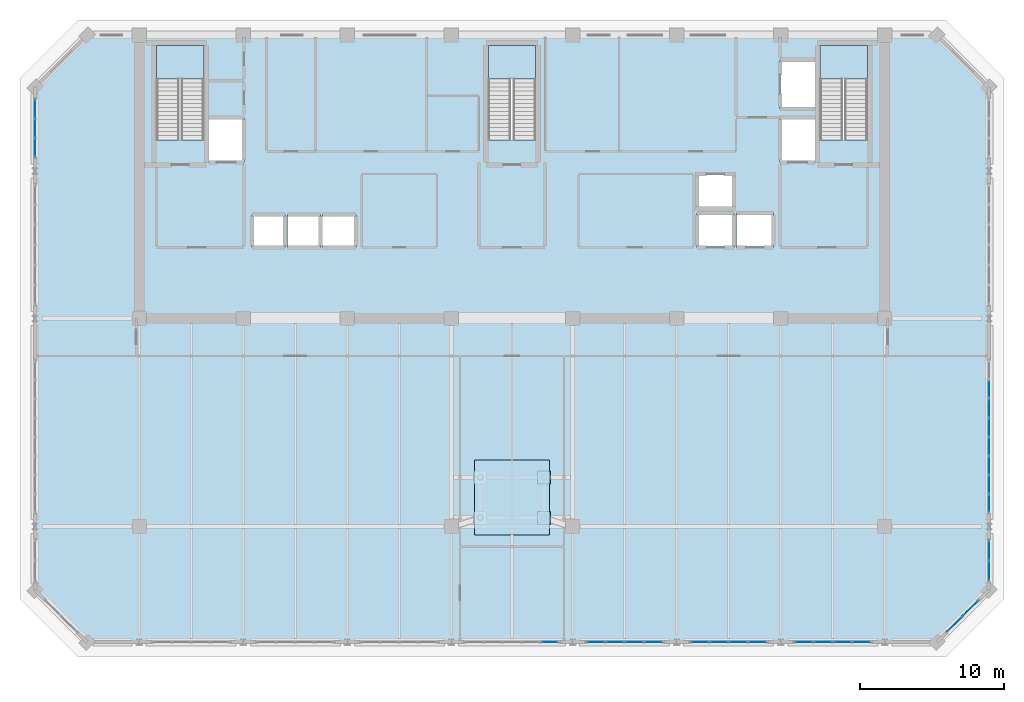
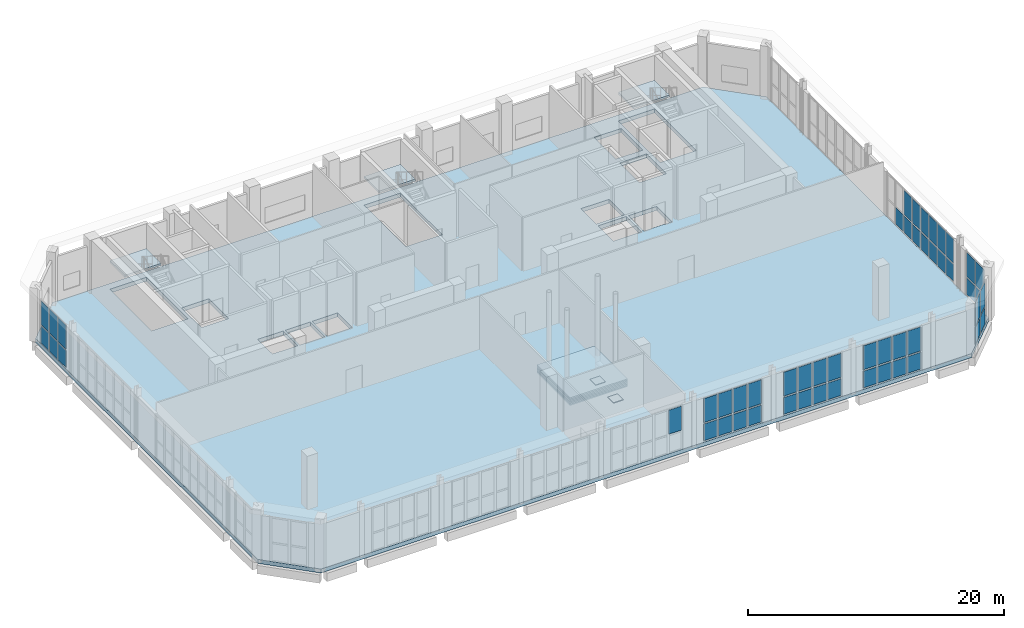
# One storey, part 18 of 26: 60 plates, 4 slabs, 11 elements without a shape of their own.
"""IFC4 building model written with IfcOpenShell, lengths in metres."""

import ifcopenshell
import ifcopenshell.guid

model = None  # the IFC model being written
_history = None  # IfcOwnerHistory: only IFC2X3 demands one
_inside = {}  # id of a spatial element -> (the spatial element, [elements in it])
_under = {}  # id of a project, library or spatial element -> (it, [spatial elements below it])
_declared = {}  # id of a project -> (the project, [libraries it declares])
_typed = {}  # id of a type object -> (the type object, [elements of that type])
_made_of = {}  # id of a material, layer set ... -> (it, [elements and type objects made of it])


def new_model(schema):
    """Start an empty IFC model of exactly this schema.

    Asked for "IFC4X3", IfcOpenShell would pick the latest addendum, in which some entities
    have other attributes; the version numbers below select the first issue.
    IFC2X3 requires an IfcOwnerHistory on every rooted entity: one is made here for all.
    """
    global model, _history
    if schema == "IFC4X3":
        model = ifcopenshell.file(schema_version=(4, 3, 0, 0))
    else:
        model = ifcopenshell.file(schema=schema)
    _inside.clear()
    _under.clear()
    _declared.clear()
    _typed.clear()
    _made_of.clear()
    _history = None
    if model.schema == "IFC2X3":
        org = make("IfcOrganization", Name="unknown")
        user = make(
            "IfcPersonAndOrganization",
            ThePerson=make("IfcPerson", FamilyName="unknown"),
            TheOrganization=org,
        )
        app = make(
            "IfcApplication",
            ApplicationDeveloper=org,
            Version="unknown",
            ApplicationFullName="unknown",
            ApplicationIdentifier="unknown",
        )
        _history = make(
            "IfcOwnerHistory",
            OwningUser=user,
            OwningApplication=app,
            ChangeAction="ADDED",
            CreationDate=0,
        )
    return model


def make(cls, **values):
    """One entity of the class cls with the attributes given. An attribute that is None is left unset."""
    return model.create_entity(
        cls, **{name: value for name, value in values.items() if value is not None}
    )


def rooted(cls, **values):
    """An entity with a GlobalId (a new one), such as an element, a storey or a relation."""
    return make(cls, GlobalId=ifcopenshell.guid.new(), OwnerHistory=_history, **values)


def si_unit(unit_type, name, prefix=None):
    """IfcSIUnit, for example si_unit("LENGTHUNIT", "METRE", prefix="MILLI")."""
    return make("IfcSIUnit", UnitType=unit_type, Prefix=prefix, Name=name)


def assignment(units):
    """IfcUnitAssignment: the units of a project."""
    return None if units is None else make("IfcUnitAssignment", Units=units)


def point(xyz):
    """IfcCartesianPoint."""
    return None if xyz is None else make("IfcCartesianPoint", Coordinates=xyz)


def direction(xyz):
    """IfcDirection."""
    return None if xyz is None else make("IfcDirection", DirectionRatios=xyz)


def frame(location, z_axis=None, x_axis=None):
    """IfcAxis2Placement3D, a coordinate frame: its origin and axes. An axis left out is left unset."""
    return make(
        "IfcAxis2Placement3D",
        Location=point(location),
        Axis=direction(z_axis),
        RefDirection=direction(x_axis),
    )


def frame_2d(location, x_axis=None):
    """IfcAxis2Placement2D, a coordinate frame in the plane: its origin and x axis."""
    return make(
        "IfcAxis2Placement2D", Location=point(location), RefDirection=direction(x_axis)
    )


def origin():
    """The frame at (0, 0, 0) with its axes left unset."""
    return frame((0.0, 0.0, 0.0))


def origin_2d():
    """The frame at (0, 0) in the plane with its x axis left unset."""
    return frame_2d((0.0, 0.0))


def place(relative_to, where):
    """IfcLocalPlacement: puts the frame where relative to a parent placement (None: the world)."""
    return make(
        "IfcLocalPlacement", PlacementRelTo=relative_to, RelativePlacement=where
    )


def context(
    kind, dimensions, precision=None, world=None, true_north=None, identifier=None
):
    """IfcGeometricRepresentationContext, for example the 3D "Model" context."""
    return make(
        "IfcGeometricRepresentationContext",
        ContextIdentifier=identifier,
        ContextType=kind,
        CoordinateSpaceDimension=dimensions,
        Precision=precision,
        WorldCoordinateSystem=world,
        TrueNorth=true_north,
    )


def subcontext(parent, identifier, kind, view, scale=None):
    """IfcGeometricRepresentationSubContext, for example "Body" below "Model"."""
    return make(
        "IfcGeometricRepresentationSubContext",
        ContextIdentifier=identifier,
        ContextType=kind,
        ParentContext=parent,
        TargetScale=scale,
        TargetView=view,
    )


def project(units=None, contexts=None):
    """IfcProject with its units and contexts."""
    return rooted(
        "IfcProject",
        Name="project",
        RepresentationContexts=contexts,
        UnitsInContext=assignment(units),
    )


def spatial(cls, under=None, at=None, **own):
    """A site, building, storey or space (cls), placed at a placement, below another one or the project."""
    s = rooted(cls, ObjectPlacement=at, **own)
    if under is not None:
        _under.setdefault(under.id(), (under, []))[1].append(s)
    return s


def polyline(points):
    """IfcPolyline through the points."""
    return make("IfcPolyline", Points=[point(p) for p in points])


def profile(cls, at=None, kind="AREA", **sizes):
    """A parametric profile (cls). Its sizes go by their IFC names, for example OverallWidth=200.0."""
    return make(cls, ProfileType=kind, Position=at, **sizes)


def rectangle(**sizes):
    """IfcRectangleProfileDef."""
    return profile("IfcRectangleProfileDef", **sizes)


def outline(outer, holes=None, kind="AREA"):
    """IfcArbitraryClosedProfileDef: a profile drawn as a closed curve; with holes, ...WithVoids."""
    if holes is None:
        return make("IfcArbitraryClosedProfileDef", ProfileType=kind, OuterCurve=outer)
    return make(
        "IfcArbitraryProfileDefWithVoids",
        ProfileType=kind,
        OuterCurve=outer,
        InnerCurves=holes,
    )


def extrude(swept, where, along, depth):
    """IfcExtrudedAreaSolid: the profile swept, set in the frame where, extruded along a direction by depth."""
    return make(
        "IfcExtrudedAreaSolid",
        SweptArea=swept,
        Position=where,
        ExtrudedDirection=direction(along),
        Depth=depth,
    )


def shape(context_of_items, identifier, shape_type, items):
    """IfcShapeRepresentation: the items that make up one representation, for example the "Body"."""
    return make(
        "IfcShapeRepresentation",
        ContextOfItems=context_of_items,
        RepresentationIdentifier=identifier,
        RepresentationType=shape_type,
        Items=items,
    )


def material(Name=None, Category=None):
    """IfcMaterial."""
    return make("IfcMaterial", Name=Name, Category=Category)


def layer(
    of_material, thickness, ventilated=None, Name=None, Category=None, Priority=None
):
    """IfcMaterialLayer: one layer of a wall or slab, of a material (None: an air gap)."""
    return make(
        "IfcMaterialLayer",
        Material=of_material,
        LayerThickness=thickness,
        IsVentilated=ventilated,
        Name=Name,
        Category=Category,
        Priority=Priority,
    )


def layer_set(layers, Name=None):
    """IfcMaterialLayerSet."""
    return make("IfcMaterialLayerSet", MaterialLayers=layers, LayerSetName=Name)


def made_of(thing, what):
    """Note that an element or type object is made of a material, layer set ...; save() writes the relation."""
    if what is not None:
        _made_of.setdefault(what.id(), (what, []))[1].append(thing)
    return thing


def type_object(cls, material=None, **own):
    """A type object (cls), such as IfcWallType, which elements share."""
    return made_of(rooted(cls, **own), material)


def element(
    cls,
    number,
    at=None,
    inside=None,
    cuts=None,
    type_object=None,
    material=None,
    context=None,
    identifier="Body",
    shape_type=None,
    held_by="IfcProductDefinitionShape",
    body=None,
    shapes=None,
    **own,
):
    """One element of the class cls, such as IfcWall. Its Tag is "e" and its number.

    at: its placement. inside: the storey or other place that contains it. cuts: it is an
    opening in that element (IfcRelVoidsElement). A single representation is given by context,
    identifier, shape_type and body (its items); several are given by shapes. held_by: the class
    of the entity that holds the representations. save() writes the other relations.
    """
    e = rooted(cls, Tag="e%d" % number, ObjectPlacement=at, **own)
    if body is not None:
        shapes = [shape(context, identifier, shape_type, body)]
    if shapes is not None:
        e.Representation = make(held_by, Representations=shapes)
    if inside is not None:
        _inside.setdefault(inside.id(), (inside, []))[1].append(e)
    if cuts is not None:
        rooted(
            "IfcRelVoidsElement", RelatingBuildingElement=cuts, RelatedOpeningElement=e
        )
    if type_object is not None:
        _typed.setdefault(type_object.id(), (type_object, []))[1].append(e)
    return made_of(e, material)


def aggregate(whole, parts):
    """IfcRelAggregates: a whole, such as a stair, and the parts it consists of."""
    return rooted("IfcRelAggregates", RelatingObject=whole, RelatedObjects=parts)


def save(model, path):
    """Write the relations noted so far, then the file.

    IfcRelAggregates (storeys below a building ...), IfcRelContainedInSpatialStructure (elements
    in a storey), IfcRelDefinesByType, IfcRelAssociatesMaterial and IfcRelDeclares: one each for
    every whole, place, type object, material and project.
    """
    for whole, parts in _under.values():
        aggregate(whole, parts)
    for where, things in _inside.values():
        rooted(
            "IfcRelContainedInSpatialStructure",
            RelatedElements=things,
            RelatingStructure=where,
        )
    for kind, things in _typed.values():
        rooted("IfcRelDefinesByType", RelatedObjects=things, RelatingType=kind)
    for what, things in _made_of.values():
        rooted("IfcRelAssociatesMaterial", RelatedObjects=things, RelatingMaterial=what)
    for by, libraries in _declared.values():
        rooted("IfcRelDeclares", RelatingContext=by, RelatedDefinitions=libraries)
    model.write(path)


model = new_model("IFC4")

# Units and contexts
model_context = context("Model", 3, precision=1e-05, world=origin(), true_north=direction((0.0, 1.0)))
body_context = subcontext(model_context, "Body", "Model", "MODEL_VIEW")
ifc_project = project(units=[si_unit("LENGTHUNIT", "METRE"), si_unit("AREAUNIT", "SQUARE_METRE"), si_unit("VOLUMEUNIT", "CUBIC_METRE"), si_unit("PLANEANGLEUNIT", "RADIAN"), si_unit("MASSUNIT", "GRAM", prefix="KILO")], contexts=[model_context])

# Site, building, storey
site_placement = place(None, origin())
site = spatial("IfcSite", under=ifc_project, at=site_placement, CompositionType="ELEMENT")
building_placement = place(site_placement, origin())
building = spatial("IfcBuilding", under=site, at=building_placement, Name="Kaelvorn Grand Hotel", CompositionType="ELEMENT")
storey_placement = place(building_placement, frame((0.0, 0.0, 294.699951171875)))
storey = spatial("IfcBuildingStorey", under=building, at=storey_placement, Name="L72", CompositionType="ELEMENT", Elevation=294.699951171875)

# Curtain wall, plate
ifc_material_1 = material(Name="Anodised Aluminium", Category="aluminium")
ifc_layer_1 = layer(ifc_material_1, 0.239990234375)
ifc_layer_set_1 = layer_set([ifc_layer_1], Name="Anodised Aluminium")
curtain_wall_type = type_object("IfcCurtainWallType", Name="CW-SYS5", PredefinedType="NOTDEFINED", material=ifc_layer_set_1)
curtain_wall_1_placement = place(storey_placement, origin())
curtain_wall_1 = element("IfcCurtainWall", 1, at=curtain_wall_1_placement, inside=storey, type_object=curtain_wall_type, Name="L72 Unitised Curtain Wall CW5 (CW-L72-S-04)", PredefinedType="NOTDEFINED")
ifc_material_2 = material(Name="Laminated Low-E Glass", Category="glass")
ifc_layer_2 = layer(ifc_material_2, 0.0380859375)
ifc_layer_set_2 = layer_set([ifc_layer_2], Name="Laminated Low-E Glass")
plate_type_1 = type_object("IfcPlateType", Name="CW-SYS5-PAN", PredefinedType="CURTAIN_PANEL", material=ifc_layer_set_2)
plate_1_placement = place(storey_placement, frame((44.60400390625, 7.0, 1.8896484375), z_axis=(0.0, 0.0, 1.0), x_axis=(1.0, 0.0, 0.0)))
plate_1 = element("IfcPlate", 2, at=plate_1_placement, type_object=plate_type_1, Name="CW5 panel 5.2", PredefinedType="CURTAIN_PANEL", context=body_context, shape_type="SweptSolid", body=[
    extrude(rectangle(XDim=1.19189453125, YDim=0.0380859375, at=origin_2d()), origin(), (0.0, 0.0, 1.0), 2.280517578125),
])
aggregate(curtain_wall_1, [plate_1])

# Curtain wall, plates
curtain_wall_2_placement = place(storey_placement, origin())
curtain_wall_2 = element("IfcCurtainWall", 3, at=curtain_wall_2_placement, inside=storey, type_object=curtain_wall_type, Name="L72 Unitised Curtain Wall CW5 (CW-L72-S-05)", PredefinedType="NOTDEFINED")
plate_2_placement = place(storey_placement, frame((47.81005859375, 7.0, 0.150146484375), z_axis=(0.0, 0.0, 1.0), x_axis=(1.0, 0.0, 0.0)))
plate_2 = element("IfcPlate", 4, at=plate_2_placement, type_object=plate_type_1, Name="CW5 panel 1.1", PredefinedType="CURTAIN_PANEL", context=body_context, shape_type="SweptSolid", body=[
    extrude(rectangle(XDim=1.219970703125, YDim=0.0380859375, at=origin_2d()), origin(), (0.0, 0.0, 1.0), 1.58935546875),
])
plate_3_placement = place(storey_placement, frame((47.81005859375, 7.0, 1.8896484375), z_axis=(0.0, 0.0, 1.0), x_axis=(1.0, 0.0, 0.0)))
plate_3 = element("IfcPlate", 5, at=plate_3_placement, type_object=plate_type_1, Name="CW5 panel 1.2", PredefinedType="CURTAIN_PANEL", context=body_context, shape_type="SweptSolid", body=[
    extrude(rectangle(XDim=1.219970703125, YDim=0.0380859375, at=origin_2d()), origin(), (0.0, 0.0, 1.0), 2.280517578125),
])
plate_4_placement = place(storey_placement, frame((49.1298828125, 7.0, 0.150146484375), z_axis=(0.0, 0.0, 1.0), x_axis=(1.0, 0.0, 0.0)))
plate_4 = element("IfcPlate", 6, at=plate_4_placement, type_object=plate_type_1, Name="CW5 panel 2.1", PredefinedType="CURTAIN_PANEL", context=body_context, shape_type="SweptSolid", body=[
    extrude(rectangle(XDim=1.260009765625, YDim=0.0380859375, at=origin_2d()), origin(), (0.0, 0.0, 1.0), 1.58935546875),
])
plate_5_placement = place(storey_placement, frame((49.1298828125, 7.0, 1.8896484375), z_axis=(0.0, 0.0, 1.0), x_axis=(1.0, 0.0, 0.0)))
plate_5 = element("IfcPlate", 7, at=plate_5_placement, type_object=plate_type_1, Name="CW5 panel 2.2", PredefinedType="CURTAIN_PANEL", context=body_context, shape_type="SweptSolid", body=[
    extrude(rectangle(XDim=1.260009765625, YDim=0.0380859375, at=origin_2d()), origin(), (0.0, 0.0, 1.0), 2.280517578125),
])
plate_6_placement = place(storey_placement, frame((50.469970703125, 7.0, 0.150146484375), z_axis=(0.0, 0.0, 1.0), x_axis=(1.0, 0.0, 0.0)))
plate_6 = element("IfcPlate", 8, at=plate_6_placement, type_object=plate_type_1, Name="CW5 panel 3.1", PredefinedType="CURTAIN_PANEL", context=body_context, shape_type="SweptSolid", body=[
    extrude(rectangle(XDim=1.260009765625, YDim=0.0380859375, at=origin_2d()), origin(), (0.0, 0.0, 1.0), 1.58935546875),
])
plate_7_placement = place(storey_placement, frame((50.469970703125, 7.0, 1.8896484375), z_axis=(0.0, 0.0, 1.0), x_axis=(1.0, 0.0, 0.0)))
plate_7 = element("IfcPlate", 9, at=plate_7_placement, type_object=plate_type_1, Name="CW5 panel 3.2", PredefinedType="CURTAIN_PANEL", context=body_context, shape_type="SweptSolid", body=[
    extrude(rectangle(XDim=1.260009765625, YDim=0.0380859375, at=origin_2d()), origin(), (0.0, 0.0, 1.0), 2.280517578125),
])
plate_8_placement = place(storey_placement, frame((51.7900390625, 7.0, 0.150146484375), z_axis=(0.0, 0.0, 1.0), x_axis=(1.0, 0.0, 0.0)))
plate_8 = element("IfcPlate", 10, at=plate_8_placement, type_object=plate_type_1, Name="CW5 panel 4.1", PredefinedType="CURTAIN_PANEL", context=body_context, shape_type="SweptSolid", body=[
    extrude(rectangle(XDim=1.219970703125, YDim=0.0380859375, at=origin_2d()), origin(), (0.0, 0.0, 1.0), 1.58935546875),
])
plate_9_placement = place(storey_placement, frame((51.7900390625, 7.0, 1.8896484375), z_axis=(0.0, 0.0, 1.0), x_axis=(1.0, 0.0, 0.0)))
plate_9 = element("IfcPlate", 11, at=plate_9_placement, type_object=plate_type_1, Name="CW5 panel 4.2", PredefinedType="CURTAIN_PANEL", context=body_context, shape_type="SweptSolid", body=[
    extrude(rectangle(XDim=1.219970703125, YDim=0.0380859375, at=origin_2d()), origin(), (0.0, 0.0, 1.0), 2.280517578125),
])
aggregate(curtain_wall_2, [plate_2, plate_3, plate_4, plate_5, plate_6, plate_7, plate_8, plate_9])

curtain_wall_3_placement = place(storey_placement, origin())
curtain_wall_3 = element("IfcCurtainWall", 12, at=curtain_wall_3_placement, inside=storey, type_object=curtain_wall_type, Name="L72 Unitised Curtain Wall CW5 (CW-L72-S-06)", PredefinedType="NOTDEFINED")
plate_10_placement = place(storey_placement, frame((55.010009765625, 7.0, 0.150146484375), z_axis=(0.0, 0.0, 1.0), x_axis=(1.0, 0.0, 0.0)))
plate_10 = element("IfcPlate", 13, at=plate_10_placement, type_object=plate_type_1, Name="CW5 panel 1.1", PredefinedType="CURTAIN_PANEL", context=body_context, shape_type="SweptSolid", body=[
    extrude(rectangle(XDim=1.219970703125, YDim=0.0380859375, at=origin_2d()), origin(), (0.0, 0.0, 1.0), 1.58935546875),
])
plate_11_placement = place(storey_placement, frame((55.010009765625, 7.0, 1.8896484375), z_axis=(0.0, 0.0, 1.0), x_axis=(1.0, 0.0, 0.0)))
plate_11 = element("IfcPlate", 14, at=plate_11_placement, type_object=plate_type_1, Name="CW5 panel 1.2", PredefinedType="CURTAIN_PANEL", context=body_context, shape_type="SweptSolid", body=[
    extrude(rectangle(XDim=1.219970703125, YDim=0.0380859375, at=origin_2d()), origin(), (0.0, 0.0, 1.0), 2.280517578125),
])
plate_12_placement = place(storey_placement, frame((56.330078125, 7.0, 0.150146484375), z_axis=(0.0, 0.0, 1.0), x_axis=(1.0, 0.0, 0.0)))
plate_12 = element("IfcPlate", 15, at=plate_12_placement, type_object=plate_type_1, Name="CW5 panel 2.1", PredefinedType="CURTAIN_PANEL", context=body_context, shape_type="SweptSolid", body=[
    extrude(rectangle(XDim=1.260009765625, YDim=0.0380859375, at=origin_2d()), origin(), (0.0, 0.0, 1.0), 1.58935546875),
])
plate_13_placement = place(storey_placement, frame((56.330078125, 7.0, 1.8896484375), z_axis=(0.0, 0.0, 1.0), x_axis=(1.0, 0.0, 0.0)))
plate_13 = element("IfcPlate", 16, at=plate_13_placement, type_object=plate_type_1, Name="CW5 panel 2.2", PredefinedType="CURTAIN_PANEL", context=body_context, shape_type="SweptSolid", body=[
    extrude(rectangle(XDim=1.260009765625, YDim=0.0380859375, at=origin_2d()), origin(), (0.0, 0.0, 1.0), 2.280517578125),
])
plate_14_placement = place(storey_placement, frame((57.669921875, 7.0, 0.150146484375), z_axis=(0.0, 0.0, 1.0), x_axis=(1.0, 0.0, 0.0)))
plate_14 = element("IfcPlate", 17, at=plate_14_placement, type_object=plate_type_1, Name="CW5 panel 3.1", PredefinedType="CURTAIN_PANEL", context=body_context, shape_type="SweptSolid", body=[
    extrude(rectangle(XDim=1.260009765625, YDim=0.0380859375, at=origin_2d()), origin(), (0.0, 0.0, 1.0), 1.58935546875),
])
plate_15_placement = place(storey_placement, frame((57.669921875, 7.0, 1.8896484375), z_axis=(0.0, 0.0, 1.0), x_axis=(1.0, 0.0, 0.0)))
plate_15 = element("IfcPlate", 18, at=plate_15_placement, type_object=plate_type_1, Name="CW5 panel 3.2", PredefinedType="CURTAIN_PANEL", context=body_context, shape_type="SweptSolid", body=[
    extrude(rectangle(XDim=1.260009765625, YDim=0.0380859375, at=origin_2d()), origin(), (0.0, 0.0, 1.0), 2.280517578125),
])
plate_16_placement = place(storey_placement, frame((58.989990234375, 7.0, 0.150146484375), z_axis=(0.0, 0.0, 1.0), x_axis=(1.0, 0.0, 0.0)))
plate_16 = element("IfcPlate", 19, at=plate_16_placement, type_object=plate_type_1, Name="CW5 panel 4.1", PredefinedType="CURTAIN_PANEL", context=body_context, shape_type="SweptSolid", body=[
    extrude(rectangle(XDim=1.219970703125, YDim=0.0380859375, at=origin_2d()), origin(), (0.0, 0.0, 1.0), 1.58935546875),
])
plate_17_placement = place(storey_placement, frame((58.989990234375, 7.0, 1.8896484375), z_axis=(0.0, 0.0, 1.0), x_axis=(1.0, 0.0, 0.0)))
plate_17 = element("IfcPlate", 20, at=plate_17_placement, type_object=plate_type_1, Name="CW5 panel 4.2", PredefinedType="CURTAIN_PANEL", context=body_context, shape_type="SweptSolid", body=[
    extrude(rectangle(XDim=1.219970703125, YDim=0.0380859375, at=origin_2d()), origin(), (0.0, 0.0, 1.0), 2.280517578125),
])
aggregate(curtain_wall_3, [plate_10, plate_11, plate_12, plate_13, plate_14, plate_15, plate_16, plate_17])

curtain_wall_4_placement = place(storey_placement, origin())
curtain_wall_4 = element("IfcCurtainWall", 21, at=curtain_wall_4_placement, inside=storey, type_object=curtain_wall_type, Name="L72 Unitised Curtain Wall CW5 (CW-L72-S-07)", PredefinedType="NOTDEFINED")
plate_18_placement = place(storey_placement, frame((62.2099609375, 7.0, 0.150146484375), z_axis=(0.0, 0.0, 1.0), x_axis=(1.0, 0.0, 0.0)))
plate_18 = element("IfcPlate", 22, at=plate_18_placement, type_object=plate_type_1, Name="CW5 panel 1.1", PredefinedType="CURTAIN_PANEL", context=body_context, shape_type="SweptSolid", body=[
    extrude(rectangle(XDim=1.219970703125, YDim=0.0380859375, at=origin_2d()), origin(), (0.0, 0.0, 1.0), 1.58935546875),
])
plate_19_placement = place(storey_placement, frame((62.2099609375, 7.0, 1.8896484375), z_axis=(0.0, 0.0, 1.0), x_axis=(1.0, 0.0, 0.0)))
plate_19 = element("IfcPlate", 23, at=plate_19_placement, type_object=plate_type_1, Name="CW5 panel 1.2", PredefinedType="CURTAIN_PANEL", context=body_context, shape_type="SweptSolid", body=[
    extrude(rectangle(XDim=1.219970703125, YDim=0.0380859375, at=origin_2d()), origin(), (0.0, 0.0, 1.0), 2.280517578125),
])
plate_20_placement = place(storey_placement, frame((63.530029296875, 7.0, 0.150146484375), z_axis=(0.0, 0.0, 1.0), x_axis=(1.0, 0.0, 0.0)))
plate_20 = element("IfcPlate", 24, at=plate_20_placement, type_object=plate_type_1, Name="CW5 panel 2.1", PredefinedType="CURTAIN_PANEL", context=body_context, shape_type="SweptSolid", body=[
    extrude(rectangle(XDim=1.260009765625, YDim=0.0380859375, at=origin_2d()), origin(), (0.0, 0.0, 1.0), 1.58935546875),
])
plate_21_placement = place(storey_placement, frame((63.530029296875, 7.0, 1.8896484375), z_axis=(0.0, 0.0, 1.0), x_axis=(1.0, 0.0, 0.0)))
plate_21 = element("IfcPlate", 25, at=plate_21_placement, type_object=plate_type_1, Name="CW5 panel 2.2", PredefinedType="CURTAIN_PANEL", context=body_context, shape_type="SweptSolid", body=[
    extrude(rectangle(XDim=1.260009765625, YDim=0.0380859375, at=origin_2d()), origin(), (0.0, 0.0, 1.0), 2.280517578125),
])
plate_22_placement = place(storey_placement, frame((64.8701171875, 7.0, 0.150146484375), z_axis=(0.0, 0.0, 1.0), x_axis=(1.0, 0.0, 0.0)))
plate_22 = element("IfcPlate", 26, at=plate_22_placement, type_object=plate_type_1, Name="CW5 panel 3.1", PredefinedType="CURTAIN_PANEL", context=body_context, shape_type="SweptSolid", body=[
    extrude(rectangle(XDim=1.260009765625, YDim=0.0380859375, at=origin_2d()), origin(), (0.0, 0.0, 1.0), 1.58935546875),
])
plate_23_placement = place(storey_placement, frame((64.8701171875, 7.0, 1.8896484375), z_axis=(0.0, 0.0, 1.0), x_axis=(1.0, 0.0, 0.0)))
plate_23 = element("IfcPlate", 27, at=plate_23_placement, type_object=plate_type_1, Name="CW5 panel 3.2", PredefinedType="CURTAIN_PANEL", context=body_context, shape_type="SweptSolid", body=[
    extrude(rectangle(XDim=1.260009765625, YDim=0.0380859375, at=origin_2d()), origin(), (0.0, 0.0, 1.0), 2.280517578125),
])
plate_24_placement = place(storey_placement, frame((66.18994140625, 7.0, 0.150146484375), z_axis=(0.0, 0.0, 1.0), x_axis=(1.0, 0.0, 0.0)))
plate_24 = element("IfcPlate", 28, at=plate_24_placement, type_object=plate_type_1, Name="CW5 panel 4.1", PredefinedType="CURTAIN_PANEL", context=body_context, shape_type="SweptSolid", body=[
    extrude(rectangle(XDim=1.219970703125, YDim=0.0380859375, at=origin_2d()), origin(), (0.0, 0.0, 1.0), 1.58935546875),
])
plate_25_placement = place(storey_placement, frame((66.18994140625, 7.0, 1.8896484375), z_axis=(0.0, 0.0, 1.0), x_axis=(1.0, 0.0, 0.0)))
plate_25 = element("IfcPlate", 29, at=plate_25_placement, type_object=plate_type_1, Name="CW5 panel 4.2", PredefinedType="CURTAIN_PANEL", context=body_context, shape_type="SweptSolid", body=[
    extrude(rectangle(XDim=1.219970703125, YDim=0.0380859375, at=origin_2d()), origin(), (0.0, 0.0, 1.0), 2.280517578125),
])
aggregate(curtain_wall_4, [plate_18, plate_19, plate_20, plate_21, plate_22, plate_23, plate_24, plate_25])

curtain_wall_5_placement = place(storey_placement, origin())
curtain_wall_5 = element("IfcCurtainWall", 30, at=curtain_wall_5_placement, inside=storey, type_object=curtain_wall_type, Name="L72 Unitised Curtain Wall CW5 (CW-L72-SE)", PredefinedType="NOTDEFINED")
plate_26_placement = place(storey_placement, frame((72.66064453125, 8.2607421875, 0.150146484375), z_axis=(0.0, 0.0, 1.0), x_axis=(0.707106781187, 0.707106781187, 0.0)))
plate_26 = element("IfcPlate", 31, at=plate_26_placement, type_object=plate_type_1, Name="CW5 panel 1.1", PredefinedType="CURTAIN_PANEL", context=body_context, shape_type="SweptSolid", body=[
    extrude(rectangle(XDim=1.445556640625, YDim=0.0380859375, at=origin_2d()), origin(), (0.0, 0.0, 1.0), 1.58935546875),
])
plate_27_placement = place(storey_placement, frame((72.66064453125, 8.2607421875, 1.8896484375), z_axis=(0.0, 0.0, 1.0), x_axis=(0.707106781187, 0.707106781187, 0.0)))
plate_27 = element("IfcPlate", 32, at=plate_27_placement, type_object=plate_type_1, Name="CW5 panel 1.2", PredefinedType="CURTAIN_PANEL", context=body_context, shape_type="SweptSolid", body=[
    extrude(rectangle(XDim=1.445556640625, YDim=0.0380859375, at=origin_2d()), origin(), (0.0, 0.0, 1.0), 2.280517578125),
])
plate_28_placement = place(storey_placement, frame((73.739501953125, 9.33935546875, 0.150146484375), z_axis=(0.0, 0.0, 1.0), x_axis=(0.707106781187, 0.707106781187, 0.0)))
plate_28 = element("IfcPlate", 33, at=plate_28_placement, type_object=plate_type_1, Name="CW5 panel 2.1", PredefinedType="CURTAIN_PANEL", context=body_context, shape_type="SweptSolid", body=[
    extrude(rectangle(XDim=1.445556640625, YDim=0.0380859375, at=origin_2d()), origin(), (0.0, 0.0, 1.0), 1.58935546875),
])
plate_29_placement = place(storey_placement, frame((73.739501953125, 9.33935546875, 1.8896484375), z_axis=(0.0, 0.0, 1.0), x_axis=(0.707106781187, 0.707106781187, 0.0)))
plate_29 = element("IfcPlate", 34, at=plate_29_placement, type_object=plate_type_1, Name="CW5 panel 2.2", PredefinedType="CURTAIN_PANEL", context=body_context, shape_type="SweptSolid", body=[
    extrude(rectangle(XDim=1.445556640625, YDim=0.0380859375, at=origin_2d()), origin(), (0.0, 0.0, 1.0), 2.280517578125),
])
aggregate(curtain_wall_5, [plate_26, plate_27, plate_28, plate_29])

curtain_wall_6_placement = place(storey_placement, origin())
curtain_wall_6 = element("IfcCurtainWall", 35, at=curtain_wall_6_placement, inside=storey, type_object=curtain_wall_type, Name="L72 Unitised Curtain Wall CW5 (CW-L72-E-01)", PredefinedType="NOTDEFINED")
plate_30_placement = place(storey_placement, frame((75.0, 11.93994140625, 0.150146484375), z_axis=(0.0, 0.0, 1.0), x_axis=(0.0, 1.0, 0.0)))
plate_30 = element("IfcPlate", 36, at=plate_30_placement, type_object=plate_type_1, Name="CW5 panel 1.1", PredefinedType="CURTAIN_PANEL", context=body_context, shape_type="SweptSolid", body=[
    extrude(rectangle(XDim=1.320068359375, YDim=0.0380859375, at=origin_2d()), origin(), (0.0, 0.0, 1.0), 1.58935546875),
])
plate_31_placement = place(storey_placement, frame((75.0, 11.93994140625, 1.8896484375), z_axis=(0.0, 0.0, 1.0), x_axis=(0.0, 1.0, 0.0)))
plate_31 = element("IfcPlate", 37, at=plate_31_placement, type_object=plate_type_1, Name="CW5 panel 1.2", PredefinedType="CURTAIN_PANEL", context=body_context, shape_type="SweptSolid", body=[
    extrude(rectangle(XDim=1.320068359375, YDim=0.0380859375, at=origin_2d()), origin(), (0.0, 0.0, 1.0), 2.280517578125),
])
plate_32_placement = place(storey_placement, frame((75.0, 13.340087890625, 0.150146484375), z_axis=(0.0, 0.0, 1.0), x_axis=(0.0, 1.0, 0.0)))
plate_32 = element("IfcPlate", 38, at=plate_32_placement, type_object=plate_type_1, Name="CW5 panel 2.1", PredefinedType="CURTAIN_PANEL", context=body_context, shape_type="SweptSolid", body=[
    extrude(rectangle(XDim=1.320068359375, YDim=0.0380859375, at=origin_2d()), origin(), (0.0, 0.0, 1.0), 1.58935546875),
])
plate_33_placement = place(storey_placement, frame((75.0, 13.340087890625, 1.8896484375), z_axis=(0.0, 0.0, 1.0), x_axis=(0.0, 1.0, 0.0)))
plate_33 = element("IfcPlate", 39, at=plate_33_placement, type_object=plate_type_1, Name="CW5 panel 2.2", PredefinedType="CURTAIN_PANEL", context=body_context, shape_type="SweptSolid", body=[
    extrude(rectangle(XDim=1.320068359375, YDim=0.0380859375, at=origin_2d()), origin(), (0.0, 0.0, 1.0), 2.280517578125),
])
aggregate(curtain_wall_6, [plate_30, plate_31, plate_32, plate_33])

curtain_wall_7_placement = place(storey_placement, origin())
curtain_wall_7 = element("IfcCurtainWall", 40, at=curtain_wall_7_placement, inside=storey, type_object=curtain_wall_type, Name="L72 Unitised Curtain Wall CW5 (CW-L72-E-02)", PredefinedType="NOTDEFINED")
plate_34_placement = place(storey_placement, frame((75.0, 16.60009765625, 0.150146484375), z_axis=(0.0, 0.0, 1.0), x_axis=(0.0, 1.0, 0.0)))
plate_34 = element("IfcPlate", 41, at=plate_34_placement, type_object=plate_type_1, Name="CW5 panel 1.1", PredefinedType="CURTAIN_PANEL", context=body_context, shape_type="SweptSolid", body=[
    extrude(rectangle(XDim=1.199951171875, YDim=0.0380859375, at=origin_2d()), origin(), (0.0, 0.0, 1.0), 1.58935546875),
])
plate_35_placement = place(storey_placement, frame((75.0, 16.60009765625, 1.8896484375), z_axis=(0.0, 0.0, 1.0), x_axis=(0.0, 1.0, 0.0)))
plate_35 = element("IfcPlate", 42, at=plate_35_placement, type_object=plate_type_1, Name="CW5 panel 1.2", PredefinedType="CURTAIN_PANEL", context=body_context, shape_type="SweptSolid", body=[
    extrude(rectangle(XDim=1.199951171875, YDim=0.0380859375, at=origin_2d()), origin(), (0.0, 0.0, 1.0), 2.280517578125),
])
plate_36_placement = place(storey_placement, frame((75.0, 17.89990234375, 0.150146484375), z_axis=(0.0, 0.0, 1.0), x_axis=(0.0, 1.0, 0.0)))
plate_36 = element("IfcPlate", 43, at=plate_36_placement, type_object=plate_type_1, Name="CW5 panel 2.1", PredefinedType="CURTAIN_PANEL", context=body_context, shape_type="SweptSolid", body=[
    extrude(rectangle(XDim=1.239990234375, YDim=0.0380859375, at=origin_2d()), origin(), (0.0, 0.0, 1.0), 1.58935546875),
])
plate_37_placement = place(storey_placement, frame((75.0, 17.89990234375, 1.8896484375), z_axis=(0.0, 0.0, 1.0), x_axis=(0.0, 1.0, 0.0)))
plate_37 = element("IfcPlate", 44, at=plate_37_placement, type_object=plate_type_1, Name="CW5 panel 2.2", PredefinedType="CURTAIN_PANEL", context=body_context, shape_type="SweptSolid", body=[
    extrude(rectangle(XDim=1.239990234375, YDim=0.0380859375, at=origin_2d()), origin(), (0.0, 0.0, 1.0), 2.280517578125),
])
plate_38_placement = place(storey_placement, frame((75.0, 19.219970703125, 0.150146484375), z_axis=(0.0, 0.0, 1.0), x_axis=(0.0, 1.0, 0.0)))
plate_38 = element("IfcPlate", 45, at=plate_38_placement, type_object=plate_type_1, Name="CW5 panel 3.1", PredefinedType="CURTAIN_PANEL", context=body_context, shape_type="SweptSolid", body=[
    extrude(rectangle(XDim=1.239990234375, YDim=0.0380859375, at=origin_2d()), origin(), (0.0, 0.0, 1.0), 1.58935546875),
])
plate_39_placement = place(storey_placement, frame((75.0, 19.219970703125, 1.8896484375), z_axis=(0.0, 0.0, 1.0), x_axis=(0.0, 1.0, 0.0)))
plate_39 = element("IfcPlate", 46, at=plate_39_placement, type_object=plate_type_1, Name="CW5 panel 3.2", PredefinedType="CURTAIN_PANEL", context=body_context, shape_type="SweptSolid", body=[
    extrude(rectangle(XDim=1.239990234375, YDim=0.0380859375, at=origin_2d()), origin(), (0.0, 0.0, 1.0), 2.280517578125),
])
plate_40_placement = place(storey_placement, frame((75.0, 20.5400390625, 0.150146484375), z_axis=(0.0, 0.0, 1.0), x_axis=(0.0, 1.0, 0.0)))
plate_40 = element("IfcPlate", 47, at=plate_40_placement, type_object=plate_type_1, Name="CW5 panel 4.1", PredefinedType="CURTAIN_PANEL", context=body_context, shape_type="SweptSolid", body=[
    extrude(rectangle(XDim=1.239990234375, YDim=0.0380859375, at=origin_2d()), origin(), (0.0, 0.0, 1.0), 1.58935546875),
])
plate_41_placement = place(storey_placement, frame((75.0, 20.5400390625, 1.8896484375), z_axis=(0.0, 0.0, 1.0), x_axis=(0.0, 1.0, 0.0)))
plate_41 = element("IfcPlate", 48, at=plate_41_placement, type_object=plate_type_1, Name="CW5 panel 4.2", PredefinedType="CURTAIN_PANEL", context=body_context, shape_type="SweptSolid", body=[
    extrude(rectangle(XDim=1.239990234375, YDim=0.0380859375, at=origin_2d()), origin(), (0.0, 0.0, 1.0), 2.280517578125),
])
plate_42_placement = place(storey_placement, frame((75.0, 21.860107421875, 0.150146484375), z_axis=(0.0, 0.0, 1.0), x_axis=(0.0, 1.0, 0.0)))
plate_42 = element("IfcPlate", 49, at=plate_42_placement, type_object=plate_type_1, Name="CW5 panel 5.1", PredefinedType="CURTAIN_PANEL", context=body_context, shape_type="SweptSolid", body=[
    extrude(rectangle(XDim=1.239990234375, YDim=0.0380859375, at=origin_2d()), origin(), (0.0, 0.0, 1.0), 1.58935546875),
])
plate_43_placement = place(storey_placement, frame((75.0, 21.860107421875, 1.8896484375), z_axis=(0.0, 0.0, 1.0), x_axis=(0.0, 1.0, 0.0)))
plate_43 = element("IfcPlate", 50, at=plate_43_placement, type_object=plate_type_1, Name="CW5 panel 5.2", PredefinedType="CURTAIN_PANEL", context=body_context, shape_type="SweptSolid", body=[
    extrude(rectangle(XDim=1.239990234375, YDim=0.0380859375, at=origin_2d()), origin(), (0.0, 0.0, 1.0), 2.280517578125),
])
plate_44_placement = place(storey_placement, frame((75.0, 23.179931640625, 0.150146484375), z_axis=(0.0, 0.0, 1.0), x_axis=(0.0, 1.0, 0.0)))
plate_44 = element("IfcPlate", 51, at=plate_44_placement, type_object=plate_type_1, Name="CW5 panel 6.1", PredefinedType="CURTAIN_PANEL", context=body_context, shape_type="SweptSolid", body=[
    extrude(rectangle(XDim=1.239990234375, YDim=0.0380859375, at=origin_2d()), origin(), (0.0, 0.0, 1.0), 1.58935546875),
])
plate_45_placement = place(storey_placement, frame((75.0, 23.179931640625, 1.8896484375), z_axis=(0.0, 0.0, 1.0), x_axis=(0.0, 1.0, 0.0)))
plate_45 = element("IfcPlate", 52, at=plate_45_placement, type_object=plate_type_1, Name="CW5 panel 6.2", PredefinedType="CURTAIN_PANEL", context=body_context, shape_type="SweptSolid", body=[
    extrude(rectangle(XDim=1.239990234375, YDim=0.0380859375, at=origin_2d()), origin(), (0.0, 0.0, 1.0), 2.280517578125),
])
plate_46_placement = place(storey_placement, frame((75.0, 24.5, 0.150146484375), z_axis=(0.0, 0.0, 1.0), x_axis=(0.0, 1.0, 0.0)))
plate_46 = element("IfcPlate", 53, at=plate_46_placement, type_object=plate_type_1, Name="CW5 panel 7.1", PredefinedType="CURTAIN_PANEL", context=body_context, shape_type="SweptSolid", body=[
    extrude(rectangle(XDim=1.239990234375, YDim=0.0380859375, at=origin_2d()), origin(), (0.0, 0.0, 1.0), 1.58935546875),
])
aggregate(curtain_wall_7, [plate_34, plate_35, plate_36, plate_37, plate_38, plate_39, plate_40, plate_41, plate_42, plate_43, plate_44, plate_45, plate_46])

curtain_wall_8_placement = place(storey_placement, origin())
curtain_wall_8 = element("IfcCurtainWall", 54, at=curtain_wall_8_placement, inside=storey, type_object=curtain_wall_type, Name="L72 Unitised Curtain Wall CW5 (CW-L72-W-04)", PredefinedType="NOTDEFINED")
plate_47_placement = place(storey_placement, frame((9.0, 43.89990234375, 0.150146484375), z_axis=(0.0, 0.0, 1.0), x_axis=(0.0, -1.0, 0.0)))
plate_47 = element("IfcPlate", 55, at=plate_47_placement, type_object=plate_type_1, Name="CW5 panel 1.1", PredefinedType="CURTAIN_PANEL", context=body_context, shape_type="SweptSolid", body=[
    extrude(rectangle(XDim=1.239990234375, YDim=0.0380859375, at=origin_2d()), origin(), (0.0, 0.0, 1.0), 1.58935546875),
])
plate_48_placement = place(storey_placement, frame((9.0, 43.89990234375, 1.8896484375), z_axis=(0.0, 0.0, 1.0), x_axis=(0.0, -1.0, 0.0)))
plate_48 = element("IfcPlate", 56, at=plate_48_placement, type_object=plate_type_1, Name="CW5 panel 1.2", PredefinedType="CURTAIN_PANEL", context=body_context, shape_type="SweptSolid", body=[
    extrude(rectangle(XDim=1.239990234375, YDim=0.0380859375, at=origin_2d()), origin(), (0.0, 0.0, 1.0), 2.280517578125),
])
plate_49_placement = place(storey_placement, frame((9.0, 42.56005859375, 0.150146484375), z_axis=(0.0, 0.0, 1.0), x_axis=(0.0, -1.0, 0.0)))
plate_49 = element("IfcPlate", 57, at=plate_49_placement, type_object=plate_type_1, Name="CW5 panel 2.1", PredefinedType="CURTAIN_PANEL", context=body_context, shape_type="SweptSolid", body=[
    extrude(rectangle(XDim=1.280029296875, YDim=0.0380859375, at=origin_2d()), origin(), (0.0, 0.0, 1.0), 1.58935546875),
])
plate_50_placement = place(storey_placement, frame((9.0, 42.56005859375, 1.8896484375), z_axis=(0.0, 0.0, 1.0), x_axis=(0.0, -1.0, 0.0)))
plate_50 = element("IfcPlate", 58, at=plate_50_placement, type_object=plate_type_1, Name="CW5 panel 2.2", PredefinedType="CURTAIN_PANEL", context=body_context, shape_type="SweptSolid", body=[
    extrude(rectangle(XDim=1.280029296875, YDim=0.0380859375, at=origin_2d()), origin(), (0.0, 0.0, 1.0), 2.280517578125),
])
plate_51_placement = place(storey_placement, frame((9.0, 41.219970703125, 0.150146484375), z_axis=(0.0, 0.0, 1.0), x_axis=(0.0, -1.0, 0.0)))
plate_51 = element("IfcPlate", 59, at=plate_51_placement, type_object=plate_type_1, Name="CW5 panel 3.1", PredefinedType="CURTAIN_PANEL", context=body_context, shape_type="SweptSolid", body=[
    extrude(rectangle(XDim=1.239990234375, YDim=0.0380859375, at=origin_2d()), origin(), (0.0, 0.0, 1.0), 1.58935546875),
])
plate_52_placement = place(storey_placement, frame((9.0, 41.219970703125, 1.8896484375), z_axis=(0.0, 0.0, 1.0), x_axis=(0.0, -1.0, 0.0)))
plate_52 = element("IfcPlate", 60, at=plate_52_placement, type_object=plate_type_1, Name="CW5 panel 3.2", PredefinedType="CURTAIN_PANEL", context=body_context, shape_type="SweptSolid", body=[
    extrude(rectangle(XDim=1.239990234375, YDim=0.0380859375, at=origin_2d()), origin(), (0.0, 0.0, 1.0), 2.280517578125),
])
aggregate(curtain_wall_8, [plate_47, plate_48, plate_49, plate_50, plate_51, plate_52])

# Plates
ifc_material_3 = material(Name="Steel S460", Category="steel")
ifc_layer_3 = layer(ifc_material_3, 0.0400390625)
ifc_layer_set_3 = layer_set([ifc_layer_3], Name="Steel S460")
plate_type_2 = type_object("IfcPlateType", Name="PL-GUSSET-40-S460", PredefinedType="USERDEFINED", material=ifc_layer_set_3)
for number, where, z_axis, x_axis, name in (
    (61, (44.199951171875, 15.60009765625, 0.0), (0.0, 0.0, 1.0), (1.0, 0.0, 0.0), "L72 Tuned Mass Damper Guide Post Base Gusset Plate 2"),
    (62, (44.199951171875, 18.39990234375, 0.0), (0.0, 0.0, 1.0), (1.0, 0.0, 0.0), "L72 Tuned Mass Damper Guide Post Base Gusset Plate 4"),
):
    element("IfcPlate", number, at=place(storey_placement, frame(where, z_axis=z_axis, x_axis=x_axis)), inside=storey, type_object=plate_type_2, Name=name, ObjectType="GUSSET_PLATE", PredefinedType="USERDEFINED", context=body_context, shape_type="SweptSolid", body=[
        extrude(rectangle(XDim=0.89990234375, YDim=0.89990234375, at=origin_2d()), origin(), (0.0, 0.0, 1.0), 0.0400390625),
    ])
ifc_layer_4 = layer(ifc_material_3, 0.1201171875)
ifc_layer_set_4 = layer_set([ifc_layer_4], Name="Steel S460")
plate_type_3 = type_object("IfcPlateType", Name="PL-TMD-MASS-120-S460", PredefinedType="USERDEFINED", material=ifc_layer_set_4)
for number, where, z_axis, x_axis, name in (
    (63, (42.0, 17.0, 1.739990234375), (0.0, 0.0, 1.0), (1.0, 0.0, 0.0), "L72 Tuned Mass Damper Mass Plate 1"),
    (64, (42.0, 17.0, 1.864990234375), (0.0, 0.0, 1.0), (1.0, 0.0, 0.0), "L72 Tuned Mass Damper Mass Plate 2"),
    (65, (42.0, 17.0, 1.989990234375), (0.0, 0.0, 1.0), (1.0, 0.0, 0.0), "L72 Tuned Mass Damper Mass Plate 3"),
    (66, (42.0, 17.0, 2.114990234375), (0.0, 0.0, 1.0), (1.0, 0.0, 0.0), "L72 Tuned Mass Damper Mass Plate 4"),
    (67, (42.0, 17.0, 2.239990234375), (0.0, 0.0, 1.0), (1.0, 0.0, 0.0), "L72 Tuned Mass Damper Mass Plate 5"),
    (68, (42.0, 17.0, 2.364990234375), (0.0, 0.0, 1.0), (1.0, 0.0, 0.0), "L72 Tuned Mass Damper Mass Plate 6"),
):
    element("IfcPlate", number, at=place(storey_placement, frame(where, z_axis=z_axis, x_axis=x_axis)), inside=storey, type_object=plate_type_3, Name=name, ObjectType="GUSSET_PLATE", PredefinedType="USERDEFINED", context=body_context, shape_type="SweptSolid", body=[
        extrude(rectangle(XDim=5.199951171875, YDim=5.199951171875, at=origin_2d()), origin(), (0.0, 0.0, 1.0), 0.1201171875),
    ])

# Slab
ifc_material_4 = material(Name="Concrete C50/60", Category="concrete")
ifc_layer_5 = layer(ifc_material_4, 0.3798828125)
ifc_layer_set_5 = layer_set([ifc_layer_5], Name="Concrete C50/60")
slab_type_1 = type_object("IfcSlabType", Name="SLB-FLR-380-C50", PredefinedType="FLOOR", material=ifc_layer_set_5)
slab_1_placement = place(storey_placement, frame((0.0, 0.0, -0.3798828125)))
element("IfcSlab", 69, at=slab_1_placement, inside=storey, type_object=slab_type_1, Name="L72 Indoor Suspended Floor Slab", PredefinedType="FLOOR", context=body_context, shape_type="SweptSolid", body=[
    extrude(outline(polyline([(12.60009765625, 7.0), (71.39990234375, 7.0), (75.0, 10.60009765625), (75.0, 45.39990234375), (71.39990234375, 49.0), (12.60009765625, 49.0), (9.0, 45.39990234375), (9.0, 10.60009765625), (12.60009765625, 7.0)]), holes=[polyline([(17.39990234375, 41.760009765625), (17.39990234375, 48.300048828125), (20.679931640625, 48.300048828125), (20.679931640625, 41.760009765625), (17.39990234375, 41.760009765625)]), polyline([(40.360107421875, 41.760009765625), (40.360107421875, 48.300048828125), (43.639892578125, 48.300048828125), (43.639892578125, 41.760009765625), (40.360107421875, 41.760009765625)]), polyline([(63.320068359375, 41.760009765625), (63.320068359375, 48.300048828125), (66.60009765625, 48.300048828125), (66.60009765625, 41.760009765625), (63.320068359375, 41.760009765625)]), polyline([(24.0, 34.300048828125), (24.0, 36.60009765625), (26.300048828125, 36.60009765625), (26.300048828125, 34.300048828125), (24.0, 34.300048828125)]), polyline([(26.449951171875, 34.300048828125), (26.449951171875, 36.60009765625), (28.75, 36.60009765625), (28.75, 34.300048828125), (26.449951171875, 34.300048828125)]), polyline([(28.89990234375, 34.300048828125), (28.89990234375, 36.60009765625), (31.199951171875, 36.60009765625), (31.199951171875, 34.300048828125), (28.89990234375, 34.300048828125)]), polyline([(54.800048828125, 34.300048828125), (54.800048828125, 36.699951171875), (57.35009765625, 36.699951171875), (57.35009765625, 34.300048828125), (54.800048828125, 34.300048828125)]), polyline([(57.550048828125, 34.300048828125), (57.550048828125, 36.699951171875), (60.10009765625, 36.699951171875), (60.10009765625, 34.300048828125), (57.550048828125, 34.300048828125)]), polyline([(54.800048828125, 37.0), (54.800048828125, 39.39990234375), (57.35009765625, 39.39990234375), (57.35009765625, 37.0), (54.800048828125, 37.0)]), polyline([(21.0, 40.199951171875), (21.0, 43.300048828125), (23.449951171875, 43.300048828125), (23.449951171875, 40.199951171875), (21.0, 40.199951171875)]), polyline([(60.550048828125, 40.199951171875), (60.550048828125, 43.300048828125), (63.0, 43.300048828125), (63.0, 40.199951171875), (60.550048828125, 40.199951171875)]), polyline([(60.550048828125, 43.89990234375), (60.550048828125, 47.300048828125), (63.0, 47.300048828125), (63.0, 43.89990234375), (60.550048828125, 43.89990234375)])]), origin(), (0.0, 0.0, 1.0), 0.3798828125),
])

# Stair, slab
ifc_material_5 = material(Name="Concrete C40/50", Category="concrete")
stair_type = type_object("IfcStairType", Name="STR-DOG-1560-R11", PredefinedType="HALF_TURN_STAIR", material=ifc_material_5)
stair_1_placement = place(storey_placement, origin())
stair_1 = element("IfcStair", 70, at=stair_1_placement, inside=storey, type_object=stair_type, Name="L72 West Core Exit Stair ST1", PredefinedType="HALF_TURN_STAIR")
ifc_layer_6 = layer(ifc_material_5, 0.199951171875)
ifc_layer_set_6 = layer_set([ifc_layer_6], Name="Concrete C40/50")
slab_type_2 = type_object("IfcSlabType", Name="SLB-LAND-200-C40", PredefinedType="LANDING", material=ifc_layer_set_6)
slab_2_placement = place(storey_placement, frame((0.0, 0.0, 2.550048828125)))
slab_2 = element("IfcSlab", 71, at=slab_2_placement, type_object=slab_type_2, Name="ST1 landing 1", PredefinedType="LANDING", context=body_context, shape_type="SweptSolid", body=[
    extrude(outline(polyline([(20.679931640625, 45.9599609375), (20.679931640625, 48.300048828125), (17.39990234375, 48.300048828125), (17.39990234375, 45.9599609375), (20.679931640625, 45.9599609375)])), origin(), (0.0, 0.0, 1.0), 0.199951171875),
])
aggregate(stair_1, [slab_2])

stair_2_placement = place(storey_placement, origin())
stair_2 = element("IfcStair", 72, at=stair_2_placement, inside=storey, type_object=stair_type, Name="L72 Central Core Exit Stair ST2", PredefinedType="HALF_TURN_STAIR")
slab_3_placement = place(storey_placement, frame((0.0, 0.0, 2.550048828125)))
slab_3 = element("IfcSlab", 73, at=slab_3_placement, type_object=slab_type_2, Name="ST2 landing 1", PredefinedType="LANDING", context=body_context, shape_type="SweptSolid", body=[
    extrude(outline(polyline([(43.639892578125, 45.9599609375), (43.639892578125, 48.300048828125), (40.360107421875, 48.300048828125), (40.360107421875, 45.9599609375), (43.639892578125, 45.9599609375)])), origin(), (0.0, 0.0, 1.0), 0.199951171875),
])
aggregate(stair_2, [slab_3])

stair_3_placement = place(storey_placement, origin())
stair_3 = element("IfcStair", 74, at=stair_3_placement, inside=storey, type_object=stair_type, Name="L72 East Core Exit Stair ST3", PredefinedType="HALF_TURN_STAIR")
slab_4_placement = place(storey_placement, frame((0.0, 0.0, 2.550048828125)))
slab_4 = element("IfcSlab", 75, at=slab_4_placement, type_object=slab_type_2, Name="ST3 landing 1", PredefinedType="LANDING", context=body_context, shape_type="SweptSolid", body=[
    extrude(outline(polyline([(66.60009765625, 45.9599609375), (66.60009765625, 48.300048828125), (63.320068359375, 48.300048828125), (63.320068359375, 45.9599609375), (66.60009765625, 45.9599609375)])), origin(), (0.0, 0.0, 1.0), 0.199951171875),
])
aggregate(stair_3, [slab_4])

save(model, "model.ifc")
